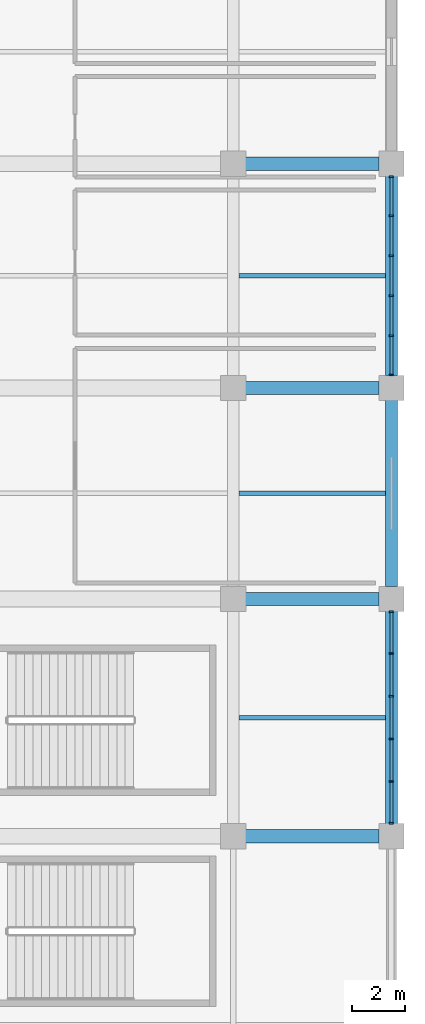
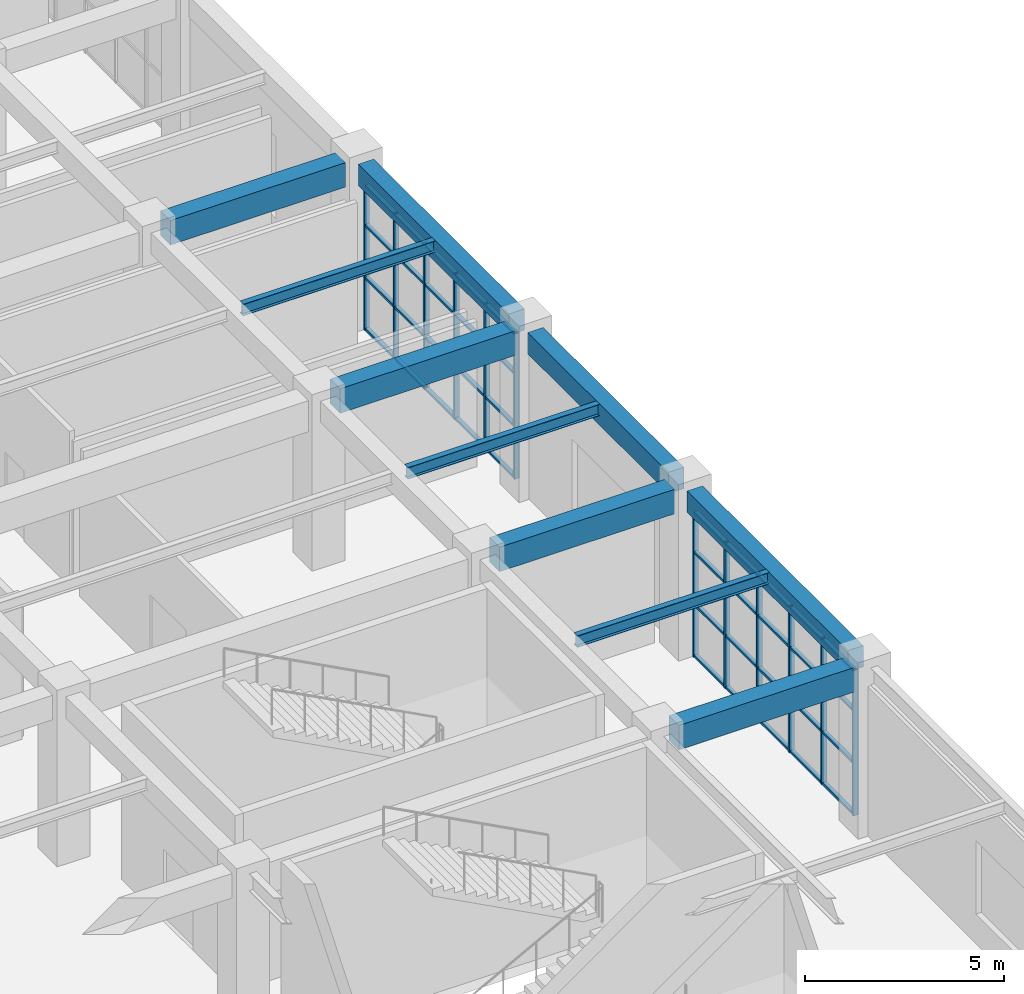
# One storey, part 50 of 120: 52 members, 10 beams, 2 elements without a shape of their own.
"""IFC4 building model written with IfcOpenShell, lengths in metres."""

from ifc_helpers import new_model, si_unit, direction, frame, origin, origin_2d, place, context, subcontext, project, spatial, rectangle, i_section, extrude, material, material_profile, profile_set, type_object, element, aggregate, save


model = new_model("IFC4")

# Units and contexts
model_context = context("Model", 3, precision=1e-05, world=origin(), true_north=direction((0.0, 1.0)))
body_context = subcontext(model_context, "Body", "Model", "MODEL_VIEW")
ifc_project = project(units=[si_unit("LENGTHUNIT", "METRE"), si_unit("AREAUNIT", "SQUARE_METRE"), si_unit("VOLUMEUNIT", "CUBIC_METRE"), si_unit("PLANEANGLEUNIT", "RADIAN"), si_unit("MASSUNIT", "GRAM", prefix="KILO")], contexts=[model_context])

# Site, building, storey
site_placement = place(None, origin())
site = spatial("IfcSite", under=ifc_project, at=site_placement, CompositionType="ELEMENT")
building_placement = place(site_placement, origin())
building = spatial("IfcBuilding", under=site, at=building_placement, Name="Cuetzalor Civic Arena", CompositionType="ELEMENT")
storey_placement = place(building_placement, frame((0.0, 0.0, 6.0)))
storey = spatial("IfcBuildingStorey", under=building, at=storey_placement, Name="L01", CompositionType="ELEMENT", Elevation=6.0)

# Beams
ifc_material_1 = material(Name="Concrete C40/50", Category="concrete")
ifc_material_profile_1 = material_profile(ifc_material_1, rectangle(XDim=0.5, YDim=0.75, at=origin_2d()), Name="RC 500x750")
ifc_profile_set_1 = profile_set([ifc_material_profile_1], Name="Concrete C40/50")
beam_type_1 = type_object("IfcBeamType", Name="ConcreteFrameBeam_500x750", PredefinedType="BEAM", material=ifc_profile_set_1)
for number, where, z_axis, x_axis, name in (
    (1, (76.465087890625, -34.0, 4.7451171875), (1.0, 0.0, 0.0), (0.0, 1.0, 0.0), "Frame Girder V4E-L01-X0434"),
    (2, (76.465087890625, -25.0, 4.7451171875), (1.0, 0.0, 0.0), (0.0, 1.0, 0.0), "Frame Girder V4E-L01-X0437"),
    (3, (76.465087890625, -17.0, 4.7451171875), (1.0, 0.0, 0.0), (0.0, 1.0, 0.0), "Frame Girder V4E-L01-X0440"),
    (4, (76.465087890625, -8.5, 4.7451171875), (1.0, 0.0, 0.0), (0.0, 1.0, 0.0), "Frame Girder V4E-L01-X0443"),
):
    element("IfcBeam", number, at=place(storey_placement, frame(where, z_axis=z_axis, x_axis=x_axis)), inside=storey, type_object=beam_type_1, Name=name, PredefinedType="BEAM", context=body_context, shape_type="SweptSolid", body=[
        extrude(rectangle(XDim=0.5, YDim=0.75, at=origin_2d()), origin(), (0.0, 0.0, 1.0), 5.06982421875),
    ])
ifc_material_2 = material(Name="Concrete C40/50", Category="concrete")
ifc_material_profile_2 = material_profile(ifc_material_2, rectangle(XDim=0.449951171875, YDim=0.64990234375, at=origin_2d()), Name="RC 450x650")
ifc_profile_set_2 = profile_set([ifc_material_profile_2], Name="Concrete C40/50")
beam_type_2 = type_object("IfcBeamType", Name="ConcreteTieBeam_450x650", PredefinedType="BEAM", material=ifc_profile_set_2)
beam_1_placement = place(storey_placement, frame((82.0, -33.534912109375, 4.794921875), z_axis=(0.0, 1.0, 0.0), x_axis=(-1.0, 0.0, 0.0)))
element("IfcBeam", 5, at=beam_1_placement, inside=storey, type_object=beam_type_2, Name="Frame Girder V4E-L01-Y0493", PredefinedType="BEAM", context=body_context, shape_type="SweptSolid", body=[
    extrude(rectangle(XDim=0.449951171875, YDim=0.64990234375, at=origin_2d()), origin(), (0.0, 0.0, 1.0), 8.06982421875),
])
beam_2_placement = place(storey_placement, frame((82.0, -24.534912109375, 4.794921875), z_axis=(0.0, 1.0, 0.0), x_axis=(-1.0, 0.0, 0.0)))
element("IfcBeam", 6, at=beam_2_placement, inside=storey, type_object=beam_type_2, Name="Frame Girder V4E-L01-Y0494", PredefinedType="BEAM", context=body_context, shape_type="SweptSolid", body=[
    extrude(rectangle(XDim=0.449951171875, YDim=0.64990234375, at=origin_2d()), origin(), (0.0, 0.0, 1.0), 7.06982421875),
])
beam_3_placement = place(storey_placement, frame((82.0, -16.534912109375, 4.794921875), z_axis=(0.0, 1.0, 0.0), x_axis=(-1.0, 0.0, 0.0)))
element("IfcBeam", 7, at=beam_3_placement, inside=storey, type_object=beam_type_2, Name="Frame Girder V4E-L01-Y0495", PredefinedType="BEAM", context=body_context, shape_type="SweptSolid", body=[
    extrude(rectangle(XDim=0.449951171875, YDim=0.64990234375, at=origin_2d()), origin(), (0.0, 0.0, 1.0), 7.56982421875),
])

# Curtain wall, members
ifc_material_3 = material(Name="Anodised dark bronze aluminium and low-E solar glass", Category="aluminium")
curtain_wall_type_1 = type_object("IfcCurtainWallType", Name="UnitisedCW_8100x4450", PredefinedType="USERDEFINED", material=ifc_material_3)
curtain_wall_1_placement = place(storey_placement, origin())
curtain_wall_1 = element("IfcCurtainWall", 8, at=curtain_wall_1_placement, inside=storey, type_object=curtain_wall_type_1, Name="V4E Suite Viewing Curtain Wall L01-136", ObjectType="UNITISED CURTAIN WALL", PredefinedType="USERDEFINED")
ifc_material_4 = material(Name="Anodised dark bronze aluminium", Category="aluminium")
ifc_material_profile_3 = material_profile(ifc_material_4, rectangle(XDim=0.06494140625, YDim=0.14990234375, at=origin_2d()), Name="ALU MULLION 65x150")
ifc_profile_set_3 = profile_set([ifc_material_profile_3], Name="Anodised dark bronze aluminium")
member_type_1 = type_object("IfcMemberType", Name="CurtainWallMullion_60x150", PredefinedType="MULLION", material=ifc_profile_set_3)
member_1_placement = place(storey_placement, frame((82.0, -25.489501953125, 0.0), z_axis=(0.0, 0.0, 1.0), x_axis=(0.0, -1.0, 0.0)))
member_1 = element("IfcMember", 9, at=member_1_placement, type_object=member_type_1, Name="CW-37 mullion 1", PredefinedType="MULLION", context=body_context, shape_type="SweptSolid", body=[
    extrude(rectangle(XDim=0.06494140625, YDim=0.14990234375, at=origin_2d()), origin(), (0.0, 0.0, 1.0), 4.4599609375),
])
member_2_placement = place(storey_placement, frame((82.0, -27.07421875, 0.0), z_axis=(0.0, 0.0, 1.0), x_axis=(0.0, -1.0, 0.0)))
member_2 = element("IfcMember", 10, at=member_2_placement, type_object=member_type_1, Name="CW-37 mullion 2", PredefinedType="MULLION", context=body_context, shape_type="SweptSolid", body=[
    extrude(rectangle(XDim=0.06494140625, YDim=0.14990234375, at=origin_2d()), origin(), (0.0, 0.0, 1.0), 4.4599609375),
])
member_3_placement = place(storey_placement, frame((82.0, -28.69140625, 0.0), z_axis=(0.0, 0.0, 1.0), x_axis=(0.0, -1.0, 0.0)))
member_3 = element("IfcMember", 11, at=member_3_placement, type_object=member_type_1, Name="CW-37 mullion 3", PredefinedType="MULLION", context=body_context, shape_type="SweptSolid", body=[
    extrude(rectangle(XDim=0.06494140625, YDim=0.14990234375, at=origin_2d()), origin(), (0.0, 0.0, 1.0), 4.4599609375),
])
member_4_placement = place(storey_placement, frame((82.0, -30.30859375, 0.0), z_axis=(0.0, 0.0, 1.0), x_axis=(0.0, -1.0, 0.0)))
member_4 = element("IfcMember", 12, at=member_4_placement, type_object=member_type_1, Name="CW-37 mullion 4", PredefinedType="MULLION", context=body_context, shape_type="SweptSolid", body=[
    extrude(rectangle(XDim=0.06494140625, YDim=0.14990234375, at=origin_2d()), origin(), (0.0, 0.0, 1.0), 4.4599609375),
])
member_5_placement = place(storey_placement, frame((82.0, -31.92578125, 0.0), z_axis=(0.0, 0.0, 1.0), x_axis=(0.0, -1.0, 0.0)))
member_5 = element("IfcMember", 13, at=member_5_placement, type_object=member_type_1, Name="CW-37 mullion 5", PredefinedType="MULLION", context=body_context, shape_type="SweptSolid", body=[
    extrude(rectangle(XDim=0.06494140625, YDim=0.14990234375, at=origin_2d()), origin(), (0.0, 0.0, 1.0), 4.4599609375),
])
member_6_placement = place(storey_placement, frame((82.0, -33.510498046875, 0.0), z_axis=(0.0, 0.0, 1.0), x_axis=(0.0, -1.0, 0.0)))
member_6 = element("IfcMember", 14, at=member_6_placement, type_object=member_type_1, Name="CW-37 mullion 6", PredefinedType="MULLION", context=body_context, shape_type="SweptSolid", body=[
    extrude(rectangle(XDim=0.06494140625, YDim=0.14990234375, at=origin_2d()), origin(), (0.0, 0.0, 1.0), 4.4599609375),
])

ifc_material_5 = material(Name="Anodised dark bronze aluminium and low-E solar glass", Category="aluminium")
curtain_wall_type_2 = type_object("IfcCurtainWallType", Name="UnitisedCW_7600x4450", PredefinedType="USERDEFINED", material=ifc_material_5)
curtain_wall_2_placement = place(storey_placement, origin())
curtain_wall_2 = element("IfcCurtainWall", 15, at=curtain_wall_2_placement, inside=storey, type_object=curtain_wall_type_2, Name="V4E Suite Viewing Curtain Wall L01-137", ObjectType="UNITISED CURTAIN WALL", PredefinedType="USERDEFINED")
member_7_placement = place(storey_placement, frame((82.0, -8.989501953125, 0.0), z_axis=(0.0, 0.0, 1.0), x_axis=(0.0, -1.0, 0.0)))
member_7 = element("IfcMember", 16, at=member_7_placement, type_object=member_type_1, Name="CW-38 mullion 1", PredefinedType="MULLION", context=body_context, shape_type="SweptSolid", body=[
    extrude(rectangle(XDim=0.06494140625, YDim=0.14990234375, at=origin_2d()), origin(), (0.0, 0.0, 1.0), 4.4599609375),
])
member_8_placement = place(storey_placement, frame((82.0, -10.47412109375, 0.0), z_axis=(0.0, 0.0, 1.0), x_axis=(0.0, -1.0, 0.0)))
member_8 = element("IfcMember", 17, at=member_8_placement, type_object=member_type_1, Name="CW-38 mullion 2", PredefinedType="MULLION", context=body_context, shape_type="SweptSolid", body=[
    extrude(rectangle(XDim=0.06494140625, YDim=0.14990234375, at=origin_2d()), origin(), (0.0, 0.0, 1.0), 4.4599609375),
])
member_9_placement = place(storey_placement, frame((82.0, -11.991455078125, 0.0), z_axis=(0.0, 0.0, 1.0), x_axis=(0.0, -1.0, 0.0)))
member_9 = element("IfcMember", 18, at=member_9_placement, type_object=member_type_1, Name="CW-38 mullion 3", PredefinedType="MULLION", context=body_context, shape_type="SweptSolid", body=[
    extrude(rectangle(XDim=0.06494140625, YDim=0.14990234375, at=origin_2d()), origin(), (0.0, 0.0, 1.0), 4.4599609375),
])
member_10_placement = place(storey_placement, frame((82.0, -13.508544921875, 0.0), z_axis=(0.0, 0.0, 1.0), x_axis=(0.0, -1.0, 0.0)))
member_10 = element("IfcMember", 19, at=member_10_placement, type_object=member_type_1, Name="CW-38 mullion 4", PredefinedType="MULLION", context=body_context, shape_type="SweptSolid", body=[
    extrude(rectangle(XDim=0.06494140625, YDim=0.14990234375, at=origin_2d()), origin(), (0.0, 0.0, 1.0), 4.4599609375),
])
member_11_placement = place(storey_placement, frame((82.0, -15.02587890625, 0.0), z_axis=(0.0, 0.0, 1.0), x_axis=(0.0, -1.0, 0.0)))
member_11 = element("IfcMember", 20, at=member_11_placement, type_object=member_type_1, Name="CW-38 mullion 5", PredefinedType="MULLION", context=body_context, shape_type="SweptSolid", body=[
    extrude(rectangle(XDim=0.06494140625, YDim=0.14990234375, at=origin_2d()), origin(), (0.0, 0.0, 1.0), 4.4599609375),
])
member_12_placement = place(storey_placement, frame((82.0, -16.510498046875, 0.0), z_axis=(0.0, 0.0, 1.0), x_axis=(0.0, -1.0, 0.0)))
member_12 = element("IfcMember", 21, at=member_12_placement, type_object=member_type_1, Name="CW-38 mullion 6", PredefinedType="MULLION", context=body_context, shape_type="SweptSolid", body=[
    extrude(rectangle(XDim=0.06494140625, YDim=0.14990234375, at=origin_2d()), origin(), (0.0, 0.0, 1.0), 4.4599609375),
])

# Member
ifc_material_6 = material(Name="Anodised dark bronze aluminium", Category="aluminium")
ifc_material_profile_4 = material_profile(ifc_material_6, rectangle(XDim=0.1201171875, YDim=0.06494140625, at=origin_2d()), Name="ALU TRANSOM 65x120")
ifc_profile_set_4 = profile_set([ifc_material_profile_4], Name="Anodised dark bronze aluminium")
member_type_2 = type_object("IfcMemberType", Name="CurtainWallTransom_60x120", PredefinedType="USERDEFINED", material=ifc_profile_set_4)
member_13_placement = place(storey_placement, frame((82.0, -25.52197265625, 0.032470703125), z_axis=(0.0, -1.0, 0.0), x_axis=(1.0, 0.0, 0.0)))
member_13 = element("IfcMember", 22, at=member_13_placement, type_object=member_type_2, Name="CW-37 transom 1.1", ObjectType="TRANSOM", PredefinedType="USERDEFINED", context=body_context, shape_type="SweptSolid", body=[
    extrude(rectangle(XDim=0.1201171875, YDim=0.06494140625, at=origin_2d()), origin(), (0.0, 0.0, 1.0), 1.519775390625),
])

member_14_placement = place(storey_placement, frame((82.0, -25.52197265625, 1.60595703125), z_axis=(0.0, -1.0, 0.0), x_axis=(1.0, 0.0, 0.0)))
member_14 = element("IfcMember", 23, at=member_14_placement, type_object=member_type_2, Name="CW-37 transom 1.2", ObjectType="TRANSOM", PredefinedType="USERDEFINED", context=body_context, shape_type="SweptSolid", body=[
    extrude(rectangle(XDim=0.1201171875, YDim=0.06494140625, at=origin_2d()), origin(), (0.0, 0.0, 1.0), 1.519775390625),
])

member_15_placement = place(storey_placement, frame((82.0, -25.52197265625, 3.2109375), z_axis=(0.0, -1.0, 0.0), x_axis=(1.0, 0.0, 0.0)))
member_15 = element("IfcMember", 24, at=member_15_placement, type_object=member_type_2, Name="CW-37 transom 1.3", ObjectType="TRANSOM", PredefinedType="USERDEFINED", context=body_context, shape_type="SweptSolid", body=[
    extrude(rectangle(XDim=0.1201171875, YDim=0.06494140625, at=origin_2d()), origin(), (0.0, 0.0, 1.0), 1.519775390625),
])

member_16_placement = place(storey_placement, frame((82.0, -25.52197265625, 4.427490234375), z_axis=(0.0, -1.0, 0.0), x_axis=(1.0, 0.0, 0.0)))
member_16 = element("IfcMember", 25, at=member_16_placement, type_object=member_type_2, Name="CW-37 transom 1.4", ObjectType="TRANSOM", PredefinedType="USERDEFINED", context=body_context, shape_type="SweptSolid", body=[
    extrude(rectangle(XDim=0.1201171875, YDim=0.06494140625, at=origin_2d()), origin(), (0.0, 0.0, 1.0), 1.519775390625),
])

member_17_placement = place(storey_placement, frame((82.0, -27.106689453125, 0.032470703125), z_axis=(0.0, -1.0, 0.0), x_axis=(1.0, 0.0, 0.0)))
member_17 = element("IfcMember", 26, at=member_17_placement, type_object=member_type_2, Name="CW-37 transom 2.1", ObjectType="TRANSOM", PredefinedType="USERDEFINED", context=body_context, shape_type="SweptSolid", body=[
    extrude(rectangle(XDim=0.1201171875, YDim=0.06494140625, at=origin_2d()), origin(), (0.0, 0.0, 1.0), 1.55224609375),
])

member_18_placement = place(storey_placement, frame((82.0, -27.106689453125, 1.60595703125), z_axis=(0.0, -1.0, 0.0), x_axis=(1.0, 0.0, 0.0)))
member_18 = element("IfcMember", 27, at=member_18_placement, type_object=member_type_2, Name="CW-37 transom 2.2", ObjectType="TRANSOM", PredefinedType="USERDEFINED", context=body_context, shape_type="SweptSolid", body=[
    extrude(rectangle(XDim=0.1201171875, YDim=0.06494140625, at=origin_2d()), origin(), (0.0, 0.0, 1.0), 1.55224609375),
])

member_19_placement = place(storey_placement, frame((82.0, -27.106689453125, 3.2109375), z_axis=(0.0, -1.0, 0.0), x_axis=(1.0, 0.0, 0.0)))
member_19 = element("IfcMember", 28, at=member_19_placement, type_object=member_type_2, Name="CW-37 transom 2.3", ObjectType="TRANSOM", PredefinedType="USERDEFINED", context=body_context, shape_type="SweptSolid", body=[
    extrude(rectangle(XDim=0.1201171875, YDim=0.06494140625, at=origin_2d()), origin(), (0.0, 0.0, 1.0), 1.55224609375),
])

member_20_placement = place(storey_placement, frame((82.0, -27.106689453125, 4.427490234375), z_axis=(0.0, -1.0, 0.0), x_axis=(1.0, 0.0, 0.0)))
member_20 = element("IfcMember", 29, at=member_20_placement, type_object=member_type_2, Name="CW-37 transom 2.4", ObjectType="TRANSOM", PredefinedType="USERDEFINED", context=body_context, shape_type="SweptSolid", body=[
    extrude(rectangle(XDim=0.1201171875, YDim=0.06494140625, at=origin_2d()), origin(), (0.0, 0.0, 1.0), 1.55224609375),
])

member_21_placement = place(storey_placement, frame((82.0, -28.723876953125, 0.032470703125), z_axis=(0.0, -1.0, 0.0), x_axis=(1.0, 0.0, 0.0)))
member_21 = element("IfcMember", 30, at=member_21_placement, type_object=member_type_2, Name="CW-37 transom 3.1", ObjectType="TRANSOM", PredefinedType="USERDEFINED", context=body_context, shape_type="SweptSolid", body=[
    extrude(rectangle(XDim=0.1201171875, YDim=0.06494140625, at=origin_2d()), origin(), (0.0, 0.0, 1.0), 1.55224609375),
])

member_22_placement = place(storey_placement, frame((82.0, -28.723876953125, 1.60595703125), z_axis=(0.0, -1.0, 0.0), x_axis=(1.0, 0.0, 0.0)))
member_22 = element("IfcMember", 31, at=member_22_placement, type_object=member_type_2, Name="CW-37 transom 3.2", ObjectType="TRANSOM", PredefinedType="USERDEFINED", context=body_context, shape_type="SweptSolid", body=[
    extrude(rectangle(XDim=0.1201171875, YDim=0.06494140625, at=origin_2d()), origin(), (0.0, 0.0, 1.0), 1.55224609375),
])

member_23_placement = place(storey_placement, frame((82.0, -28.723876953125, 3.2109375), z_axis=(0.0, -1.0, 0.0), x_axis=(1.0, 0.0, 0.0)))
member_23 = element("IfcMember", 32, at=member_23_placement, type_object=member_type_2, Name="CW-37 transom 3.3", ObjectType="TRANSOM", PredefinedType="USERDEFINED", context=body_context, shape_type="SweptSolid", body=[
    extrude(rectangle(XDim=0.1201171875, YDim=0.06494140625, at=origin_2d()), origin(), (0.0, 0.0, 1.0), 1.55224609375),
])

member_24_placement = place(storey_placement, frame((82.0, -28.723876953125, 4.427490234375), z_axis=(0.0, -1.0, 0.0), x_axis=(1.0, 0.0, 0.0)))
member_24 = element("IfcMember", 33, at=member_24_placement, type_object=member_type_2, Name="CW-37 transom 3.4", ObjectType="TRANSOM", PredefinedType="USERDEFINED", context=body_context, shape_type="SweptSolid", body=[
    extrude(rectangle(XDim=0.1201171875, YDim=0.06494140625, at=origin_2d()), origin(), (0.0, 0.0, 1.0), 1.55224609375),
])

member_25_placement = place(storey_placement, frame((82.0, -30.341064453125, 0.032470703125), z_axis=(0.0, -1.0, 0.0), x_axis=(1.0, 0.0, 0.0)))
member_25 = element("IfcMember", 34, at=member_25_placement, type_object=member_type_2, Name="CW-37 transom 4.1", ObjectType="TRANSOM", PredefinedType="USERDEFINED", context=body_context, shape_type="SweptSolid", body=[
    extrude(rectangle(XDim=0.1201171875, YDim=0.06494140625, at=origin_2d()), origin(), (0.0, 0.0, 1.0), 1.55224609375),
])

member_26_placement = place(storey_placement, frame((82.0, -30.341064453125, 1.60595703125), z_axis=(0.0, -1.0, 0.0), x_axis=(1.0, 0.0, 0.0)))
member_26 = element("IfcMember", 35, at=member_26_placement, type_object=member_type_2, Name="CW-37 transom 4.2", ObjectType="TRANSOM", PredefinedType="USERDEFINED", context=body_context, shape_type="SweptSolid", body=[
    extrude(rectangle(XDim=0.1201171875, YDim=0.06494140625, at=origin_2d()), origin(), (0.0, 0.0, 1.0), 1.55224609375),
])

member_27_placement = place(storey_placement, frame((82.0, -30.341064453125, 3.2109375), z_axis=(0.0, -1.0, 0.0), x_axis=(1.0, 0.0, 0.0)))
member_27 = element("IfcMember", 36, at=member_27_placement, type_object=member_type_2, Name="CW-37 transom 4.3", ObjectType="TRANSOM", PredefinedType="USERDEFINED", context=body_context, shape_type="SweptSolid", body=[
    extrude(rectangle(XDim=0.1201171875, YDim=0.06494140625, at=origin_2d()), origin(), (0.0, 0.0, 1.0), 1.55224609375),
])

member_28_placement = place(storey_placement, frame((82.0, -30.341064453125, 4.427490234375), z_axis=(0.0, -1.0, 0.0), x_axis=(1.0, 0.0, 0.0)))
member_28 = element("IfcMember", 37, at=member_28_placement, type_object=member_type_2, Name="CW-37 transom 4.4", ObjectType="TRANSOM", PredefinedType="USERDEFINED", context=body_context, shape_type="SweptSolid", body=[
    extrude(rectangle(XDim=0.1201171875, YDim=0.06494140625, at=origin_2d()), origin(), (0.0, 0.0, 1.0), 1.55224609375),
])

member_29_placement = place(storey_placement, frame((82.0, -31.958251953125, 0.032470703125), z_axis=(0.0, -1.0, 0.0), x_axis=(1.0, 0.0, 0.0)))
member_29 = element("IfcMember", 38, at=member_29_placement, type_object=member_type_2, Name="CW-37 transom 5.1", ObjectType="TRANSOM", PredefinedType="USERDEFINED", context=body_context, shape_type="SweptSolid", body=[
    extrude(rectangle(XDim=0.1201171875, YDim=0.06494140625, at=origin_2d()), origin(), (0.0, 0.0, 1.0), 1.519775390625),
])

member_30_placement = place(storey_placement, frame((82.0, -31.958251953125, 1.60595703125), z_axis=(0.0, -1.0, 0.0), x_axis=(1.0, 0.0, 0.0)))
member_30 = element("IfcMember", 39, at=member_30_placement, type_object=member_type_2, Name="CW-37 transom 5.2", ObjectType="TRANSOM", PredefinedType="USERDEFINED", context=body_context, shape_type="SweptSolid", body=[
    extrude(rectangle(XDim=0.1201171875, YDim=0.06494140625, at=origin_2d()), origin(), (0.0, 0.0, 1.0), 1.519775390625),
])

member_31_placement = place(storey_placement, frame((82.0, -31.958251953125, 3.2109375), z_axis=(0.0, -1.0, 0.0), x_axis=(1.0, 0.0, 0.0)))
member_31 = element("IfcMember", 40, at=member_31_placement, type_object=member_type_2, Name="CW-37 transom 5.3", ObjectType="TRANSOM", PredefinedType="USERDEFINED", context=body_context, shape_type="SweptSolid", body=[
    extrude(rectangle(XDim=0.1201171875, YDim=0.06494140625, at=origin_2d()), origin(), (0.0, 0.0, 1.0), 1.519775390625),
])

member_32_placement = place(storey_placement, frame((82.0, -31.958251953125, 4.427490234375), z_axis=(0.0, -1.0, 0.0), x_axis=(1.0, 0.0, 0.0)))
member_32 = element("IfcMember", 41, at=member_32_placement, type_object=member_type_2, Name="CW-37 transom 5.4", ObjectType="TRANSOM", PredefinedType="USERDEFINED", context=body_context, shape_type="SweptSolid", body=[
    extrude(rectangle(XDim=0.1201171875, YDim=0.06494140625, at=origin_2d()), origin(), (0.0, 0.0, 1.0), 1.519775390625),
])

aggregate(curtain_wall_1, [member_1, member_2, member_3, member_4, member_5, member_6, member_13, member_14, member_15, member_16, member_17, member_18, member_19, member_20, member_21, member_22, member_23, member_24, member_25, member_26, member_27, member_28, member_29, member_30, member_31, member_32])

member_33_placement = place(storey_placement, frame((82.0, -9.02197265625, 0.032470703125), z_axis=(0.0, -1.0, 0.0), x_axis=(1.0, 0.0, 0.0)))
member_33 = element("IfcMember", 42, at=member_33_placement, type_object=member_type_2, Name="CW-38 transom 1.1", ObjectType="TRANSOM", PredefinedType="USERDEFINED", context=body_context, shape_type="SweptSolid", body=[
    extrude(rectangle(XDim=0.1201171875, YDim=0.06494140625, at=origin_2d()), origin(), (0.0, 0.0, 1.0), 1.419677734375),
])

member_34_placement = place(storey_placement, frame((82.0, -9.02197265625, 1.60595703125), z_axis=(0.0, -1.0, 0.0), x_axis=(1.0, 0.0, 0.0)))
member_34 = element("IfcMember", 43, at=member_34_placement, type_object=member_type_2, Name="CW-38 transom 1.2", ObjectType="TRANSOM", PredefinedType="USERDEFINED", context=body_context, shape_type="SweptSolid", body=[
    extrude(rectangle(XDim=0.1201171875, YDim=0.06494140625, at=origin_2d()), origin(), (0.0, 0.0, 1.0), 1.419677734375),
])

member_35_placement = place(storey_placement, frame((82.0, -9.02197265625, 3.2109375), z_axis=(0.0, -1.0, 0.0), x_axis=(1.0, 0.0, 0.0)))
member_35 = element("IfcMember", 44, at=member_35_placement, type_object=member_type_2, Name="CW-38 transom 1.3", ObjectType="TRANSOM", PredefinedType="USERDEFINED", context=body_context, shape_type="SweptSolid", body=[
    extrude(rectangle(XDim=0.1201171875, YDim=0.06494140625, at=origin_2d()), origin(), (0.0, 0.0, 1.0), 1.419677734375),
])

member_36_placement = place(storey_placement, frame((82.0, -9.02197265625, 4.427490234375), z_axis=(0.0, -1.0, 0.0), x_axis=(1.0, 0.0, 0.0)))
member_36 = element("IfcMember", 45, at=member_36_placement, type_object=member_type_2, Name="CW-38 transom 1.4", ObjectType="TRANSOM", PredefinedType="USERDEFINED", context=body_context, shape_type="SweptSolid", body=[
    extrude(rectangle(XDim=0.1201171875, YDim=0.06494140625, at=origin_2d()), origin(), (0.0, 0.0, 1.0), 1.419677734375),
])

member_37_placement = place(storey_placement, frame((82.0, -10.506591796875, 0.032470703125), z_axis=(0.0, -1.0, 0.0), x_axis=(1.0, 0.0, 0.0)))
member_37 = element("IfcMember", 46, at=member_37_placement, type_object=member_type_2, Name="CW-38 transom 2.1", ObjectType="TRANSOM", PredefinedType="USERDEFINED", context=body_context, shape_type="SweptSolid", body=[
    extrude(rectangle(XDim=0.1201171875, YDim=0.06494140625, at=origin_2d()), origin(), (0.0, 0.0, 1.0), 1.452392578125),
])

member_38_placement = place(storey_placement, frame((82.0, -10.506591796875, 1.60595703125), z_axis=(0.0, -1.0, 0.0), x_axis=(1.0, 0.0, 0.0)))
member_38 = element("IfcMember", 47, at=member_38_placement, type_object=member_type_2, Name="CW-38 transom 2.2", ObjectType="TRANSOM", PredefinedType="USERDEFINED", context=body_context, shape_type="SweptSolid", body=[
    extrude(rectangle(XDim=0.1201171875, YDim=0.06494140625, at=origin_2d()), origin(), (0.0, 0.0, 1.0), 1.452392578125),
])

member_39_placement = place(storey_placement, frame((82.0, -10.506591796875, 3.2109375), z_axis=(0.0, -1.0, 0.0), x_axis=(1.0, 0.0, 0.0)))
member_39 = element("IfcMember", 48, at=member_39_placement, type_object=member_type_2, Name="CW-38 transom 2.3", ObjectType="TRANSOM", PredefinedType="USERDEFINED", context=body_context, shape_type="SweptSolid", body=[
    extrude(rectangle(XDim=0.1201171875, YDim=0.06494140625, at=origin_2d()), origin(), (0.0, 0.0, 1.0), 1.452392578125),
])

member_40_placement = place(storey_placement, frame((82.0, -10.506591796875, 4.427490234375), z_axis=(0.0, -1.0, 0.0), x_axis=(1.0, 0.0, 0.0)))
member_40 = element("IfcMember", 49, at=member_40_placement, type_object=member_type_2, Name="CW-38 transom 2.4", ObjectType="TRANSOM", PredefinedType="USERDEFINED", context=body_context, shape_type="SweptSolid", body=[
    extrude(rectangle(XDim=0.1201171875, YDim=0.06494140625, at=origin_2d()), origin(), (0.0, 0.0, 1.0), 1.452392578125),
])

member_41_placement = place(storey_placement, frame((82.0, -12.02392578125, 0.032470703125), z_axis=(0.0, -1.0, 0.0), x_axis=(1.0, 0.0, 0.0)))
member_41 = element("IfcMember", 50, at=member_41_placement, type_object=member_type_2, Name="CW-38 transom 3.1", ObjectType="TRANSOM", PredefinedType="USERDEFINED", context=body_context, shape_type="SweptSolid", body=[
    extrude(rectangle(XDim=0.1201171875, YDim=0.06494140625, at=origin_2d()), origin(), (0.0, 0.0, 1.0), 1.4521484375),
])

member_42_placement = place(storey_placement, frame((82.0, -12.02392578125, 1.60595703125), z_axis=(0.0, -1.0, 0.0), x_axis=(1.0, 0.0, 0.0)))
member_42 = element("IfcMember", 51, at=member_42_placement, type_object=member_type_2, Name="CW-38 transom 3.2", ObjectType="TRANSOM", PredefinedType="USERDEFINED", context=body_context, shape_type="SweptSolid", body=[
    extrude(rectangle(XDim=0.1201171875, YDim=0.06494140625, at=origin_2d()), origin(), (0.0, 0.0, 1.0), 1.4521484375),
])

member_43_placement = place(storey_placement, frame((82.0, -12.02392578125, 3.2109375), z_axis=(0.0, -1.0, 0.0), x_axis=(1.0, 0.0, 0.0)))
member_43 = element("IfcMember", 52, at=member_43_placement, type_object=member_type_2, Name="CW-38 transom 3.3", ObjectType="TRANSOM", PredefinedType="USERDEFINED", context=body_context, shape_type="SweptSolid", body=[
    extrude(rectangle(XDim=0.1201171875, YDim=0.06494140625, at=origin_2d()), origin(), (0.0, 0.0, 1.0), 1.4521484375),
])

member_44_placement = place(storey_placement, frame((82.0, -12.02392578125, 4.427490234375), z_axis=(0.0, -1.0, 0.0), x_axis=(1.0, 0.0, 0.0)))
member_44 = element("IfcMember", 53, at=member_44_placement, type_object=member_type_2, Name="CW-38 transom 3.4", ObjectType="TRANSOM", PredefinedType="USERDEFINED", context=body_context, shape_type="SweptSolid", body=[
    extrude(rectangle(XDim=0.1201171875, YDim=0.06494140625, at=origin_2d()), origin(), (0.0, 0.0, 1.0), 1.4521484375),
])

member_45_placement = place(storey_placement, frame((82.0, -13.541015625, 0.032470703125), z_axis=(0.0, -1.0, 0.0), x_axis=(1.0, 0.0, 0.0)))
member_45 = element("IfcMember", 54, at=member_45_placement, type_object=member_type_2, Name="CW-38 transom 4.1", ObjectType="TRANSOM", PredefinedType="USERDEFINED", context=body_context, shape_type="SweptSolid", body=[
    extrude(rectangle(XDim=0.1201171875, YDim=0.06494140625, at=origin_2d()), origin(), (0.0, 0.0, 1.0), 1.452392578125),
])

member_46_placement = place(storey_placement, frame((82.0, -13.541015625, 1.60595703125), z_axis=(0.0, -1.0, 0.0), x_axis=(1.0, 0.0, 0.0)))
member_46 = element("IfcMember", 55, at=member_46_placement, type_object=member_type_2, Name="CW-38 transom 4.2", ObjectType="TRANSOM", PredefinedType="USERDEFINED", context=body_context, shape_type="SweptSolid", body=[
    extrude(rectangle(XDim=0.1201171875, YDim=0.06494140625, at=origin_2d()), origin(), (0.0, 0.0, 1.0), 1.452392578125),
])

member_47_placement = place(storey_placement, frame((82.0, -13.541015625, 3.2109375), z_axis=(0.0, -1.0, 0.0), x_axis=(1.0, 0.0, 0.0)))
member_47 = element("IfcMember", 56, at=member_47_placement, type_object=member_type_2, Name="CW-38 transom 4.3", ObjectType="TRANSOM", PredefinedType="USERDEFINED", context=body_context, shape_type="SweptSolid", body=[
    extrude(rectangle(XDim=0.1201171875, YDim=0.06494140625, at=origin_2d()), origin(), (0.0, 0.0, 1.0), 1.452392578125),
])

member_48_placement = place(storey_placement, frame((82.0, -13.541015625, 4.427490234375), z_axis=(0.0, -1.0, 0.0), x_axis=(1.0, 0.0, 0.0)))
member_48 = element("IfcMember", 57, at=member_48_placement, type_object=member_type_2, Name="CW-38 transom 4.4", ObjectType="TRANSOM", PredefinedType="USERDEFINED", context=body_context, shape_type="SweptSolid", body=[
    extrude(rectangle(XDim=0.1201171875, YDim=0.06494140625, at=origin_2d()), origin(), (0.0, 0.0, 1.0), 1.452392578125),
])

member_49_placement = place(storey_placement, frame((82.0, -15.058349609375, 0.032470703125), z_axis=(0.0, -1.0, 0.0), x_axis=(1.0, 0.0, 0.0)))
member_49 = element("IfcMember", 58, at=member_49_placement, type_object=member_type_2, Name="CW-38 transom 5.1", ObjectType="TRANSOM", PredefinedType="USERDEFINED", context=body_context, shape_type="SweptSolid", body=[
    extrude(rectangle(XDim=0.1201171875, YDim=0.06494140625, at=origin_2d()), origin(), (0.0, 0.0, 1.0), 1.419677734375),
])

member_50_placement = place(storey_placement, frame((82.0, -15.058349609375, 1.60595703125), z_axis=(0.0, -1.0, 0.0), x_axis=(1.0, 0.0, 0.0)))
member_50 = element("IfcMember", 59, at=member_50_placement, type_object=member_type_2, Name="CW-38 transom 5.2", ObjectType="TRANSOM", PredefinedType="USERDEFINED", context=body_context, shape_type="SweptSolid", body=[
    extrude(rectangle(XDim=0.1201171875, YDim=0.06494140625, at=origin_2d()), origin(), (0.0, 0.0, 1.0), 1.419677734375),
])

member_51_placement = place(storey_placement, frame((82.0, -15.058349609375, 3.2109375), z_axis=(0.0, -1.0, 0.0), x_axis=(1.0, 0.0, 0.0)))
member_51 = element("IfcMember", 60, at=member_51_placement, type_object=member_type_2, Name="CW-38 transom 5.3", ObjectType="TRANSOM", PredefinedType="USERDEFINED", context=body_context, shape_type="SweptSolid", body=[
    extrude(rectangle(XDim=0.1201171875, YDim=0.06494140625, at=origin_2d()), origin(), (0.0, 0.0, 1.0), 1.419677734375),
])

member_52_placement = place(storey_placement, frame((82.0, -15.058349609375, 4.427490234375), z_axis=(0.0, -1.0, 0.0), x_axis=(1.0, 0.0, 0.0)))
member_52 = element("IfcMember", 61, at=member_52_placement, type_object=member_type_2, Name="CW-38 transom 5.4", ObjectType="TRANSOM", PredefinedType="USERDEFINED", context=body_context, shape_type="SweptSolid", body=[
    extrude(rectangle(XDim=0.1201171875, YDim=0.06494140625, at=origin_2d()), origin(), (0.0, 0.0, 1.0), 1.419677734375),
])

aggregate(curtain_wall_2, [member_7, member_8, member_9, member_10, member_11, member_12, member_33, member_34, member_35, member_36, member_37, member_38, member_39, member_40, member_41, member_42, member_43, member_44, member_45, member_46, member_47, member_48, member_49, member_50, member_51, member_52])

# Beams
ifc_material_7 = material(Name="Steel S355", Category="steel")
ifc_material_profile_5 = material_profile(ifc_material_7, i_section(OverallWidth=0.1708984375, OverallDepth=0.35498046875, WebThickness=0.007080078125, FlangeThickness=0.01171875, at=origin_2d()), Name="W360x51")
ifc_profile_set_5 = profile_set([ifc_material_profile_5], Name="Steel S355")
beam_type_3 = type_object("IfcBeamType", Name="SecondaryFloorJoist_W360", PredefinedType="JOIST", material=ifc_profile_set_5)
for number, where, z_axis, x_axis, name in (
    (62, (76.217041015625, -29.5, 4.9423828125), (1.0, 0.0, 0.0), (0.0, 1.0, 0.0), "Secondary Floor Joist V4E-L01-0153"),
    (63, (76.217041015625, -21.0, 4.9423828125), (1.0, 0.0, 0.0), (0.0, 1.0, 0.0), "Secondary Floor Joist V4E-L01-0154"),
    (64, (76.217041015625, -12.75, 4.9423828125), (1.0, 0.0, 0.0), (0.0, 1.0, 0.0), "Secondary Floor Joist V4E-L01-0155"),
):
    element("IfcBeam", number, at=place(storey_placement, frame(where, z_axis=z_axis, x_axis=x_axis)), inside=storey, type_object=beam_type_3, Name=name, PredefinedType="JOIST", context=body_context, shape_type="SweptSolid", body=[
        extrude(i_section(OverallWidth=0.1708984375, OverallDepth=0.35498046875, WebThickness=0.007080078125, FlangeThickness=0.01171875, at=origin_2d()), origin(), (0.0, 0.0, 1.0), 5.56591796875),
    ])

save(model, "model.ifc")
